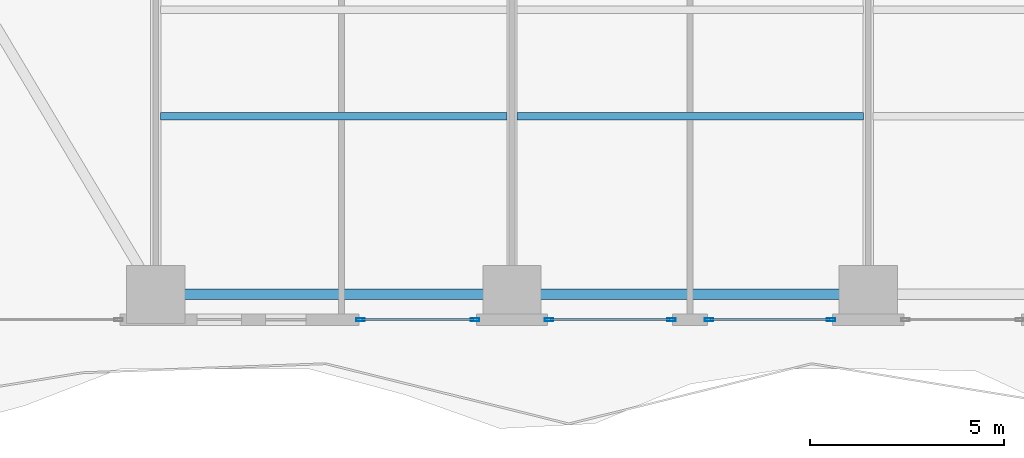
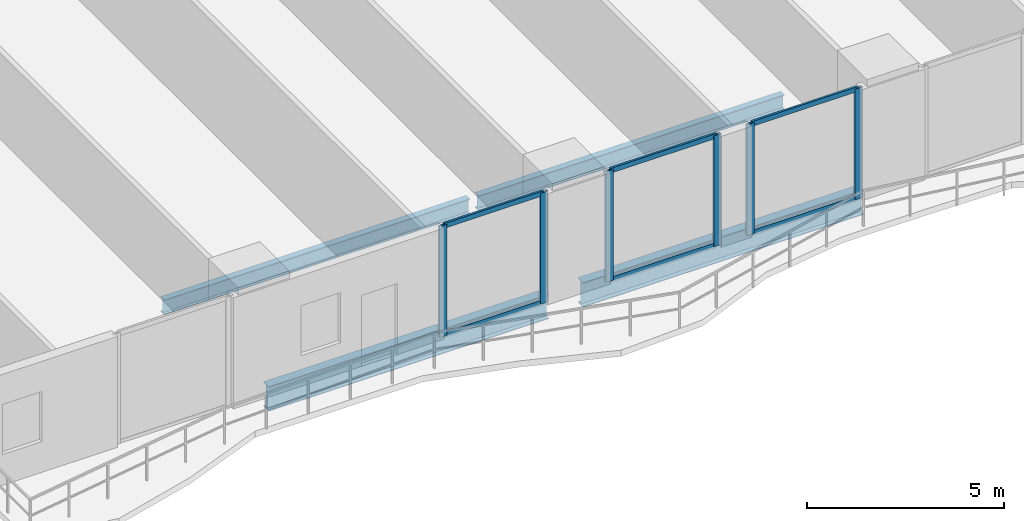
# One storey, part 4 of 29: 12 members, 4 beams, 3 elements without a shape of their own.
"""IFC4 building model written with IfcOpenShell, lengths in metres."""

from ifc_helpers import new_model, si_unit, direction, frame, origin, origin_2d, place, context, subcontext, project, spatial, hollow_rectangle, i_section, extrude, material, layer, layer_set, material_profile, profile_set, type_object, element, aggregate, save


model = new_model("IFC4")

# Units and contexts
model_context = context("Model", 3, precision=1e-05, world=origin(), true_north=direction((0.0, 1.0)))
body_context = subcontext(model_context, "Body", "Model", "MODEL_VIEW")
ifc_project = project(units=[si_unit("LENGTHUNIT", "METRE"), si_unit("AREAUNIT", "SQUARE_METRE"), si_unit("VOLUMEUNIT", "CUBIC_METRE"), si_unit("PLANEANGLEUNIT", "RADIAN"), si_unit("MASSUNIT", "GRAM", prefix="KILO")], contexts=[model_context])

# Site, building, storey
site_placement = place(None, origin())
site = spatial("IfcSite", under=ifc_project, at=site_placement, CompositionType="ELEMENT")
building_placement = place(site_placement, origin())
building = spatial("IfcBuilding", under=site, at=building_placement, Name="Zuhayl Quay Hotel", CompositionType="ELEMENT")
storey_placement = place(building_placement, frame((0.0, 0.0, 67.75)))
storey = spatial("IfcBuildingStorey", under=building, at=storey_placement, Name="L16", CompositionType="ELEMENT", Elevation=67.75)

# Beams
ifc_material_1 = material(Name="Steel ASTM A992 Grade 50", Category="steel")
ifc_material_profile_1 = material_profile(ifc_material_1, i_section(OverallWidth=0.26708984375, OverallDepth=0.761962890625, WebThickness=0.014404296875, FlangeThickness=0.021484375, at=origin_2d()), Name="W30X116")
ifc_profile_set_1 = profile_set([ifc_material_profile_1], Name="Steel ASTM A992 Grade 50")
beam_type_1 = type_object("IfcBeamType", Name="BM_B1_W30X116", PredefinedType="BEAM", material=ifc_profile_set_1)
beam_1_placement = place(storey_placement, frame((-13.300048828125, -22.449951171875, -0.60107421875), z_axis=(1.0, 0.0, 0.0), x_axis=(0.0, 1.0, 0.0)))
element("IfcBeam", 1, at=beam_1_placement, inside=storey, type_object=beam_type_1, Name="L16 Floor Beam RG_L16_01", PredefinedType="BEAM", context=body_context, shape_type="SweptSolid", body=[
    extrude(i_section(OverallWidth=0.26708984375, OverallDepth=0.761962890625, WebThickness=0.014404296875, FlangeThickness=0.021484375, at=origin_2d()), origin(), (0.0, 0.0, 1.0), 8.199951171875),
])
beam_2_placement = place(storey_placement, frame((-4.10009765625, -22.449951171875, -0.60107421875), z_axis=(1.0, 0.0, 0.0), x_axis=(0.0, 1.0, 0.0)))
element("IfcBeam", 2, at=beam_2_placement, inside=storey, type_object=beam_type_1, Name="L16 Floor Beam RG_L16_02", PredefinedType="BEAM", context=body_context, shape_type="SweptSolid", body=[
    extrude(i_section(OverallWidth=0.26708984375, OverallDepth=0.761962890625, WebThickness=0.014404296875, FlangeThickness=0.021484375, at=origin_2d()), origin(), (0.0, 0.0, 1.0), 8.2001953125),
])
ifc_material_profile_2 = material_profile(ifc_material_1, i_section(OverallWidth=0.18994140625, OverallDepth=0.45703125, WebThickness=0.009033203125, FlangeThickness=0.014404296875, at=origin_2d()), Name="W18X50")
ifc_profile_set_2 = profile_set([ifc_material_profile_2], Name="Steel ASTM A992 Grade 50")
beam_type_2 = type_object("IfcBeamType", Name="BM_J2_W18X50", PredefinedType="JOIST", material=ifc_profile_set_2)
beam_3_placement = place(storey_placement, frame((-13.674560546875, -17.85009765625, -0.448486328125), z_axis=(1.0, 0.0, 0.0), x_axis=(0.0, 1.0, 0.0)))
element("IfcBeam", 3, at=beam_3_placement, inside=storey, type_object=beam_type_2, Name="L16 Floor Beam FJ_L16_3_1", PredefinedType="JOIST", context=body_context, shape_type="SweptSolid", body=[
    extrude(i_section(OverallWidth=0.18994140625, OverallDepth=0.45703125, WebThickness=0.009033203125, FlangeThickness=0.014404296875, at=origin_2d()), origin(), (0.0, 0.0, 1.0), 8.948974609375),
])
beam_4_placement = place(storey_placement, frame((-4.474609375, -17.85009765625, -0.448486328125), z_axis=(1.0, 0.0, 0.0), x_axis=(0.0, 1.0, 0.0)))
element("IfcBeam", 4, at=beam_4_placement, inside=storey, type_object=beam_type_2, Name="L16 Floor Beam FJ_L16_3_2", PredefinedType="JOIST", context=body_context, shape_type="SweptSolid", body=[
    extrude(i_section(OverallWidth=0.18994140625, OverallDepth=0.45703125, WebThickness=0.009033203125, FlangeThickness=0.014404296875, at=origin_2d()), origin(), (0.0, 0.0, 1.0), 8.94921875),
])

# Curtain wall, members
ifc_material_2 = material(Name="Anodised Aluminium 6063-T6", Category="aluminium")
ifc_layer = layer(ifc_material_2, 0.18994140625, Name="Anodised Aluminium 6063-T6", Category="aluminium")
ifc_layer_set = layer_set([ifc_layer], Name="Anodised Aluminium 6063-T6")
curtain_wall_type = type_object("IfcCurtainWallType", Name="CW_SYS_Z1", PredefinedType="USERDEFINED", material=ifc_layer_set)
curtain_wall_1_placement = place(storey_placement, origin())
curtain_wall_1 = element("IfcCurtainWall", 5, at=curtain_wall_1_placement, inside=storey, type_object=curtain_wall_type, Name="L16 Curtain Wall ENV_L16_S_CW4", ObjectType="UNITISED CURTAIN WALL", PredefinedType="USERDEFINED")
ifc_material_3 = material(Name="Black-anodised aluminium 6063-T6", Category="aluminium")
ifc_material_profile_3 = material_profile(ifc_material_3, hollow_rectangle(XDim=0.074951171875, YDim=0.219970703125, WallThickness=0.00390625, at=origin_2d()), Name="ALU220X75")
ifc_profile_set_3 = profile_set([ifc_material_profile_3], Name="Black-anodised aluminium 6063-T6")
member_type_1 = type_object("IfcMemberType", Name="MB_CW_MUL_220", PredefinedType="MULLION", material=ifc_profile_set_3)
member_1_placement = place(storey_placement, frame((3.642578125, -23.10009765625, 0.0), z_axis=(0.0, 0.0, 1.0), x_axis=(0.0, -1.0, 0.0)))
member_1 = element("IfcMember", 6, at=member_1_placement, type_object=member_type_1, Name="CW-Z1 mullion 1", PredefinedType="MULLION", context=body_context, shape_type="SweptSolid", body=[
    extrude(hollow_rectangle(XDim=0.074951171875, YDim=0.219970703125, WallThickness=0.00390625, at=origin_2d()), origin(), (0.0, 0.0, 1.0), 3.429931640625),
])
member_2_placement = place(storey_placement, frame((0.487548828125, -23.10009765625, 0.0), z_axis=(0.0, 0.0, 1.0), x_axis=(0.0, -1.0, 0.0)))
member_2 = element("IfcMember", 7, at=member_2_placement, type_object=member_type_1, Name="CW-Z1 mullion 2", PredefinedType="MULLION", context=body_context, shape_type="SweptSolid", body=[
    extrude(hollow_rectangle(XDim=0.074951171875, YDim=0.219970703125, WallThickness=0.00390625, at=origin_2d()), origin(), (0.0, 0.0, 1.0), 3.429931640625),
])

curtain_wall_2_placement = place(storey_placement, origin())
curtain_wall_2 = element("IfcCurtainWall", 8, at=curtain_wall_2_placement, inside=storey, type_object=curtain_wall_type, Name="L16 Curtain Wall ENV_L16_S_CW5", ObjectType="UNITISED CURTAIN WALL", PredefinedType="USERDEFINED")
member_3_placement = place(storey_placement, frame((-0.487548828125, -23.10009765625, 0.0), z_axis=(0.0, 0.0, 1.0), x_axis=(0.0, -1.0, 0.0)))
member_3 = element("IfcMember", 9, at=member_3_placement, type_object=member_type_1, Name="CW-Z1 mullion 1", PredefinedType="MULLION", context=body_context, shape_type="SweptSolid", body=[
    extrude(hollow_rectangle(XDim=0.074951171875, YDim=0.219970703125, WallThickness=0.00390625, at=origin_2d()), origin(), (0.0, 0.0, 1.0), 3.429931640625),
])
member_4_placement = place(storey_placement, frame((-3.642578125, -23.10009765625, 0.0), z_axis=(0.0, 0.0, 1.0), x_axis=(0.0, -1.0, 0.0)))
member_4 = element("IfcMember", 10, at=member_4_placement, type_object=member_type_1, Name="CW-Z1 mullion 2", PredefinedType="MULLION", context=body_context, shape_type="SweptSolid", body=[
    extrude(hollow_rectangle(XDim=0.074951171875, YDim=0.219970703125, WallThickness=0.00390625, at=origin_2d()), origin(), (0.0, 0.0, 1.0), 3.429931640625),
])

curtain_wall_3_placement = place(storey_placement, origin())
curtain_wall_3 = element("IfcCurtainWall", 11, at=curtain_wall_3_placement, inside=storey, type_object=curtain_wall_type, Name="L16 Curtain Wall ENV_L16_S_CW6", ObjectType="UNITISED CURTAIN WALL", PredefinedType="USERDEFINED")
member_5_placement = place(storey_placement, frame((-5.5576171875, -23.10009765625, 0.0), z_axis=(0.0, 0.0, 1.0), x_axis=(0.0, -1.0, 0.0)))
member_5 = element("IfcMember", 12, at=member_5_placement, type_object=member_type_1, Name="CW-Z1 mullion 1", PredefinedType="MULLION", context=body_context, shape_type="SweptSolid", body=[
    extrude(hollow_rectangle(XDim=0.074951171875, YDim=0.219970703125, WallThickness=0.00390625, at=origin_2d()), origin(), (0.0, 0.0, 1.0), 3.429931640625),
])
member_6_placement = place(storey_placement, frame((-8.512451171875, -23.10009765625, 0.0), z_axis=(0.0, 0.0, 1.0), x_axis=(0.0, -1.0, 0.0)))
member_6 = element("IfcMember", 13, at=member_6_placement, type_object=member_type_1, Name="CW-Z1 mullion 2", PredefinedType="MULLION", context=body_context, shape_type="SweptSolid", body=[
    extrude(hollow_rectangle(XDim=0.074951171875, YDim=0.219970703125, WallThickness=0.00390625, at=origin_2d()), origin(), (0.0, 0.0, 1.0), 3.429931640625),
])

# Member
ifc_material_profile_4 = material_profile(ifc_material_3, hollow_rectangle(XDim=0.06005859375, YDim=0.14990234375, WallThickness=0.00341796875, at=origin_2d()), Name="ALU150X60")
ifc_profile_set_4 = profile_set([ifc_material_profile_4], Name="Black-anodised aluminium 6063-T6")
member_type_2 = type_object("IfcMemberType", Name="MB_CW_TRN_150", PredefinedType="USERDEFINED", material=ifc_profile_set_4)
member_7_placement = place(storey_placement, frame((3.60498046875, -23.10009765625, 0.030029296875), z_axis=(-1.0, 0.0, 0.0), x_axis=(0.0, -1.0, 0.0)))
member_7 = element("IfcMember", 14, at=member_7_placement, type_object=member_type_2, Name="CW-Z1 transom 1.1", ObjectType="TRANSOM", PredefinedType="USERDEFINED", context=body_context, shape_type="SweptSolid", body=[
    extrude(hollow_rectangle(XDim=0.06005859375, YDim=0.14990234375, WallThickness=0.00341796875, at=origin_2d()), origin(), (0.0, 0.0, 1.0), 3.080078125),
])

member_8_placement = place(storey_placement, frame((3.60498046875, -23.10009765625, 3.39990234375), z_axis=(-1.0, 0.0, 0.0), x_axis=(0.0, -1.0, 0.0)))
member_8 = element("IfcMember", 15, at=member_8_placement, type_object=member_type_2, Name="CW-Z1 transom 1.2", ObjectType="TRANSOM", PredefinedType="USERDEFINED", context=body_context, shape_type="SweptSolid", body=[
    extrude(hollow_rectangle(XDim=0.06005859375, YDim=0.14990234375, WallThickness=0.00341796875, at=origin_2d()), origin(), (0.0, 0.0, 1.0), 3.080078125),
])

aggregate(curtain_wall_1, [member_1, member_2, member_7, member_8])

member_9_placement = place(storey_placement, frame((-0.52490234375, -23.10009765625, 0.030029296875), z_axis=(-1.0, 0.0, 0.0), x_axis=(0.0, -1.0, 0.0)))
member_9 = element("IfcMember", 16, at=member_9_placement, type_object=member_type_2, Name="CW-Z1 transom 1.1", ObjectType="TRANSOM", PredefinedType="USERDEFINED", context=body_context, shape_type="SweptSolid", body=[
    extrude(hollow_rectangle(XDim=0.06005859375, YDim=0.14990234375, WallThickness=0.00341796875, at=origin_2d()), origin(), (0.0, 0.0, 1.0), 3.080078125),
])

member_10_placement = place(storey_placement, frame((-0.52490234375, -23.10009765625, 3.39990234375), z_axis=(-1.0, 0.0, 0.0), x_axis=(0.0, -1.0, 0.0)))
member_10 = element("IfcMember", 17, at=member_10_placement, type_object=member_type_2, Name="CW-Z1 transom 1.2", ObjectType="TRANSOM", PredefinedType="USERDEFINED", context=body_context, shape_type="SweptSolid", body=[
    extrude(hollow_rectangle(XDim=0.06005859375, YDim=0.14990234375, WallThickness=0.00341796875, at=origin_2d()), origin(), (0.0, 0.0, 1.0), 3.080078125),
])

aggregate(curtain_wall_2, [member_3, member_4, member_9, member_10])

member_11_placement = place(storey_placement, frame((-5.594970703125, -23.10009765625, 0.030029296875), z_axis=(-1.0, 0.0, 0.0), x_axis=(0.0, -1.0, 0.0)))
member_11 = element("IfcMember", 18, at=member_11_placement, type_object=member_type_2, Name="CW-Z1 transom 1.1", ObjectType="TRANSOM", PredefinedType="USERDEFINED", context=body_context, shape_type="SweptSolid", body=[
    extrude(hollow_rectangle(XDim=0.06005859375, YDim=0.14990234375, WallThickness=0.00341796875, at=origin_2d()), origin(), (0.0, 0.0, 1.0), 2.880126953125),
])

member_12_placement = place(storey_placement, frame((-5.594970703125, -23.10009765625, 3.39990234375), z_axis=(-1.0, 0.0, 0.0), x_axis=(0.0, -1.0, 0.0)))
member_12 = element("IfcMember", 19, at=member_12_placement, type_object=member_type_2, Name="CW-Z1 transom 1.2", ObjectType="TRANSOM", PredefinedType="USERDEFINED", context=body_context, shape_type="SweptSolid", body=[
    extrude(hollow_rectangle(XDim=0.06005859375, YDim=0.14990234375, WallThickness=0.00341796875, at=origin_2d()), origin(), (0.0, 0.0, 1.0), 2.880126953125),
])

aggregate(curtain_wall_3, [member_5, member_6, member_11, member_12])

save(model, "model.ifc")
